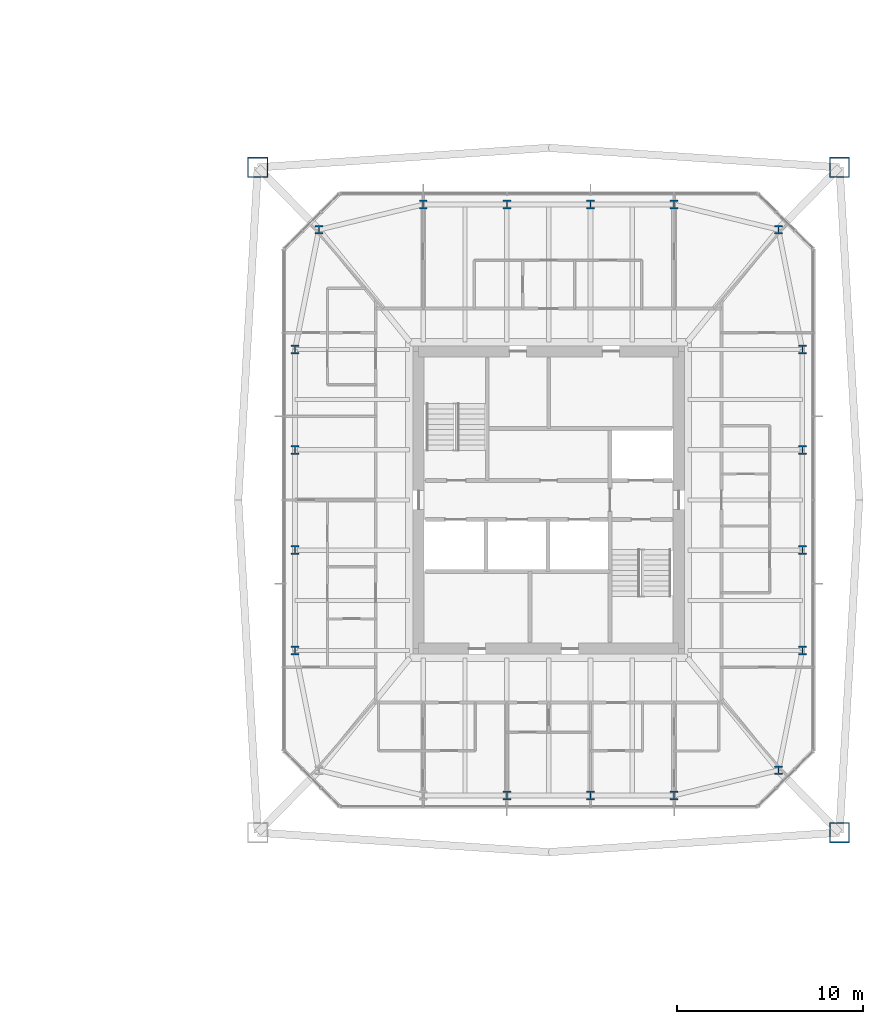
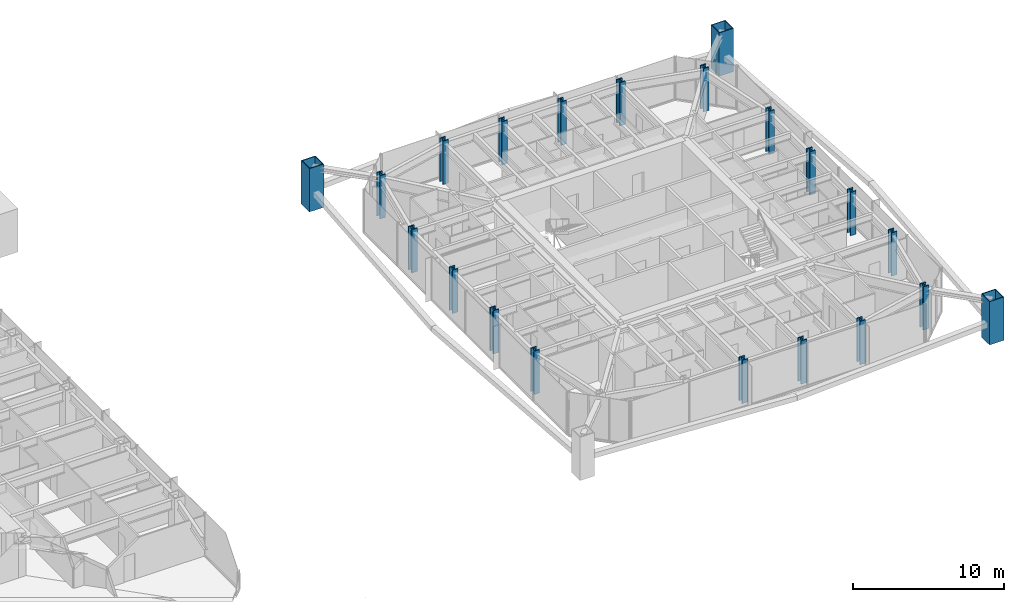
# One storey, part 2 of 25: 21 columns.
"""IFC4 building model written with IfcOpenShell, lengths in metres."""

import ifcopenshell
import ifcopenshell.guid

model = None  # the IFC model being written
_history = None  # IfcOwnerHistory: only IFC2X3 demands one
_inside = {}  # id of a spatial element -> (the spatial element, [elements in it])
_under = {}  # id of a project, library or spatial element -> (it, [spatial elements below it])
_declared = {}  # id of a project -> (the project, [libraries it declares])
_typed = {}  # id of a type object -> (the type object, [elements of that type])
_made_of = {}  # id of a material, layer set ... -> (it, [elements and type objects made of it])


def new_model(schema):
    """Start an empty IFC model of exactly this schema.

    Asked for "IFC4X3", IfcOpenShell would pick the latest addendum, in which some entities
    have other attributes; the version numbers below select the first issue.
    IFC2X3 requires an IfcOwnerHistory on every rooted entity: one is made here for all.
    """
    global model, _history
    if schema == "IFC4X3":
        model = ifcopenshell.file(schema_version=(4, 3, 0, 0))
    else:
        model = ifcopenshell.file(schema=schema)
    _inside.clear()
    _under.clear()
    _declared.clear()
    _typed.clear()
    _made_of.clear()
    _history = None
    if model.schema == "IFC2X3":
        org = make("IfcOrganization", Name="unknown")
        user = make(
            "IfcPersonAndOrganization",
            ThePerson=make("IfcPerson", FamilyName="unknown"),
            TheOrganization=org,
        )
        app = make(
            "IfcApplication",
            ApplicationDeveloper=org,
            Version="unknown",
            ApplicationFullName="unknown",
            ApplicationIdentifier="unknown",
        )
        _history = make(
            "IfcOwnerHistory",
            OwningUser=user,
            OwningApplication=app,
            ChangeAction="ADDED",
            CreationDate=0,
        )
    return model


def make(cls, **values):
    """One entity of the class cls with the attributes given. An attribute that is None is left unset."""
    return model.create_entity(
        cls, **{name: value for name, value in values.items() if value is not None}
    )


def rooted(cls, **values):
    """An entity with a GlobalId (a new one), such as an element, a storey or a relation."""
    return make(cls, GlobalId=ifcopenshell.guid.new(), OwnerHistory=_history, **values)


def si_unit(unit_type, name, prefix=None):
    """IfcSIUnit, for example si_unit("LENGTHUNIT", "METRE", prefix="MILLI")."""
    return make("IfcSIUnit", UnitType=unit_type, Prefix=prefix, Name=name)


def assignment(units):
    """IfcUnitAssignment: the units of a project."""
    return None if units is None else make("IfcUnitAssignment", Units=units)


def point(xyz):
    """IfcCartesianPoint."""
    return None if xyz is None else make("IfcCartesianPoint", Coordinates=xyz)


def direction(xyz):
    """IfcDirection."""
    return None if xyz is None else make("IfcDirection", DirectionRatios=xyz)


def frame(location, z_axis=None, x_axis=None):
    """IfcAxis2Placement3D, a coordinate frame: its origin and axes. An axis left out is left unset."""
    return make(
        "IfcAxis2Placement3D",
        Location=point(location),
        Axis=direction(z_axis),
        RefDirection=direction(x_axis),
    )


def frame_2d(location, x_axis=None):
    """IfcAxis2Placement2D, a coordinate frame in the plane: its origin and x axis."""
    return make(
        "IfcAxis2Placement2D", Location=point(location), RefDirection=direction(x_axis)
    )


def origin():
    """The frame at (0, 0, 0) with its axes left unset."""
    return frame((0.0, 0.0, 0.0))


def origin_2d():
    """The frame at (0, 0) in the plane with its x axis left unset."""
    return frame_2d((0.0, 0.0))


def place(relative_to, where):
    """IfcLocalPlacement: puts the frame where relative to a parent placement (None: the world)."""
    return make(
        "IfcLocalPlacement", PlacementRelTo=relative_to, RelativePlacement=where
    )


def context(
    kind, dimensions, precision=None, world=None, true_north=None, identifier=None
):
    """IfcGeometricRepresentationContext, for example the 3D "Model" context."""
    return make(
        "IfcGeometricRepresentationContext",
        ContextIdentifier=identifier,
        ContextType=kind,
        CoordinateSpaceDimension=dimensions,
        Precision=precision,
        WorldCoordinateSystem=world,
        TrueNorth=true_north,
    )


def subcontext(parent, identifier, kind, view, scale=None):
    """IfcGeometricRepresentationSubContext, for example "Body" below "Model"."""
    return make(
        "IfcGeometricRepresentationSubContext",
        ContextIdentifier=identifier,
        ContextType=kind,
        ParentContext=parent,
        TargetScale=scale,
        TargetView=view,
    )


def project(units=None, contexts=None):
    """IfcProject with its units and contexts."""
    return rooted(
        "IfcProject",
        Name="project",
        RepresentationContexts=contexts,
        UnitsInContext=assignment(units),
    )


def spatial(cls, under=None, at=None, **own):
    """A site, building, storey or space (cls), placed at a placement, below another one or the project."""
    s = rooted(cls, ObjectPlacement=at, **own)
    if under is not None:
        _under.setdefault(under.id(), (under, []))[1].append(s)
    return s


def profile(cls, at=None, kind="AREA", **sizes):
    """A parametric profile (cls). Its sizes go by their IFC names, for example OverallWidth=200.0."""
    return make(cls, ProfileType=kind, Position=at, **sizes)


def hollow_rectangle(**sizes):
    """IfcRectangleHollowProfileDef."""
    return profile("IfcRectangleHollowProfileDef", **sizes)


def i_section(**sizes):
    """IfcIShapeProfileDef."""
    return profile("IfcIShapeProfileDef", **sizes)


def extrude(swept, where, along, depth):
    """IfcExtrudedAreaSolid: the profile swept, set in the frame where, extruded along a direction by depth."""
    return make(
        "IfcExtrudedAreaSolid",
        SweptArea=swept,
        Position=where,
        ExtrudedDirection=direction(along),
        Depth=depth,
    )


def shape(context_of_items, identifier, shape_type, items):
    """IfcShapeRepresentation: the items that make up one representation, for example the "Body"."""
    return make(
        "IfcShapeRepresentation",
        ContextOfItems=context_of_items,
        RepresentationIdentifier=identifier,
        RepresentationType=shape_type,
        Items=items,
    )


def material(Name=None, Category=None):
    """IfcMaterial."""
    return make("IfcMaterial", Name=Name, Category=Category)


def material_profile(
    of_material, cross_section, Name=None, Category=None, Priority=None
):
    """IfcMaterialProfile: a cross section and its material."""
    return make(
        "IfcMaterialProfile",
        Name=Name,
        Material=of_material,
        Profile=cross_section,
        Priority=Priority,
        Category=Category,
    )


def profile_set(profiles, Name=None, composite=None):
    """IfcMaterialProfileSet."""
    return make(
        "IfcMaterialProfileSet",
        Name=Name,
        MaterialProfiles=profiles,
        CompositeProfile=composite,
    )


def made_of(thing, what):
    """Note that an element or type object is made of a material, layer set ...; save() writes the relation."""
    if what is not None:
        _made_of.setdefault(what.id(), (what, []))[1].append(thing)
    return thing


def type_object(cls, material=None, **own):
    """A type object (cls), such as IfcWallType, which elements share."""
    return made_of(rooted(cls, **own), material)


def element(
    cls,
    number,
    at=None,
    inside=None,
    cuts=None,
    type_object=None,
    material=None,
    context=None,
    identifier="Body",
    shape_type=None,
    held_by="IfcProductDefinitionShape",
    body=None,
    shapes=None,
    **own,
):
    """One element of the class cls, such as IfcWall. Its Tag is "e" and its number.

    at: its placement. inside: the storey or other place that contains it. cuts: it is an
    opening in that element (IfcRelVoidsElement). A single representation is given by context,
    identifier, shape_type and body (its items); several are given by shapes. held_by: the class
    of the entity that holds the representations. save() writes the other relations.
    """
    e = rooted(cls, Tag="e%d" % number, ObjectPlacement=at, **own)
    if body is not None:
        shapes = [shape(context, identifier, shape_type, body)]
    if shapes is not None:
        e.Representation = make(held_by, Representations=shapes)
    if inside is not None:
        _inside.setdefault(inside.id(), (inside, []))[1].append(e)
    if cuts is not None:
        rooted(
            "IfcRelVoidsElement", RelatingBuildingElement=cuts, RelatedOpeningElement=e
        )
    if type_object is not None:
        _typed.setdefault(type_object.id(), (type_object, []))[1].append(e)
    return made_of(e, material)


def aggregate(whole, parts):
    """IfcRelAggregates: a whole, such as a stair, and the parts it consists of."""
    return rooted("IfcRelAggregates", RelatingObject=whole, RelatedObjects=parts)


def save(model, path):
    """Write the relations noted so far, then the file.

    IfcRelAggregates (storeys below a building ...), IfcRelContainedInSpatialStructure (elements
    in a storey), IfcRelDefinesByType, IfcRelAssociatesMaterial and IfcRelDeclares: one each for
    every whole, place, type object, material and project.
    """
    for whole, parts in _under.values():
        aggregate(whole, parts)
    for where, things in _inside.values():
        rooted(
            "IfcRelContainedInSpatialStructure",
            RelatedElements=things,
            RelatingStructure=where,
        )
    for kind, things in _typed.values():
        rooted("IfcRelDefinesByType", RelatedObjects=things, RelatingType=kind)
    for what, things in _made_of.values():
        rooted("IfcRelAssociatesMaterial", RelatedObjects=things, RelatingMaterial=what)
    for by, libraries in _declared.values():
        rooted("IfcRelDeclares", RelatingContext=by, RelatedDefinitions=libraries)
    model.write(path)


model = new_model("IFC4")

# Units and contexts
model_context = context("Model", 3, precision=1e-05, world=origin(), true_north=direction((0.0, 1.0)))
body_context = subcontext(model_context, "Body", "Model", "MODEL_VIEW")
ifc_project = project(units=[si_unit("LENGTHUNIT", "METRE"), si_unit("AREAUNIT", "SQUARE_METRE"), si_unit("VOLUMEUNIT", "CUBIC_METRE"), si_unit("PLANEANGLEUNIT", "RADIAN"), si_unit("MASSUNIT", "GRAM", prefix="KILO")], contexts=[model_context])

# Site, building, storey
site_placement = place(None, origin())
site = spatial("IfcSite", under=ifc_project, at=site_placement, CompositionType="ELEMENT")
building_placement = place(site_placement, origin())
building = spatial("IfcBuilding", under=site, at=building_placement, Name="Iwan Alto Co-Living Towers", CompositionType="ELEMENT")
storey_placement = place(building_placement, frame((0.0, 0.0, 87.5)))
storey = spatial("IfcBuildingStorey", under=building, at=storey_placement, Name="L23", CompositionType="ELEMENT", Elevation=87.5)

# Columns
ifc_material_1 = material(Name="Steel ASTM A572 Gr 50", Category="steel")
ifc_material_profile_1 = material_profile(ifc_material_1, hollow_rectangle(XDim=1.10009765625, YDim=1.10009765625, WallThickness=0.06005859375, at=origin_2d()), Name="BOX 1100X1100X60")
ifc_profile_set_1 = profile_set([ifc_material_profile_1], Name="Steel ASTM A572 Gr 50")
column_type_1 = type_object("IfcColumnType", Name="T2 MEGA COLUMN BOX 1100X1100X60", PredefinedType="COLUMN", material=ifc_profile_set_1)
for number, where, z_axis, x_axis, name in (
    (1, (78.64990234375, -17.89990234375, 0.0), (0.0, 0.0, 1.0), (1.0, 0.0, 0.0), "T2 mega column SE L23"),
    (2, (78.64990234375, 17.89990234375, 0.0), (0.0, 0.0, 1.0), (1.0, 0.0, 0.0), "T2 mega column NE L23"),
    (3, (47.35009765625, 17.89990234375, 0.0), (0.0, 0.0, 1.0), (1.0, 0.0, 0.0), "T2 mega column NW L23"),
):
    element("IfcColumn", number, at=place(storey_placement, frame(where, z_axis=z_axis, x_axis=x_axis)), inside=storey, type_object=column_type_1, Name=name, PredefinedType="COLUMN", context=body_context, shape_type="SweptSolid", body=[
        extrude(hollow_rectangle(XDim=1.10009765625, YDim=1.10009765625, WallThickness=0.06005859375, at=origin_2d()), origin(), (0.0, 0.0, 1.0), 3.5),
    ])
ifc_material_2 = material(Name="Steel ASTM A992 Gr 50", Category="steel")
ifc_material_profile_2 = material_profile(ifc_material_2, i_section(OverallWidth=0.4267578125, OverallDepth=0.482666015625, WebThickness=0.05126953125, FlangeThickness=0.08154296875, at=origin_2d()), Name="W14X455")
ifc_profile_set_2 = profile_set([ifc_material_profile_2], Name="Steel ASTM A992 Gr 50")
column_type_2 = type_object("IfcColumnType", Name="T2 RING COLUMN W14X455", PredefinedType="COLUMN", material=ifc_profile_set_2)
for number, where, z_axis, x_axis, name in (
    (4, (60.75, -15.89990234375, 0.0), (0.0, 0.0, 1.0), (1.0, 0.0, 0.0), "T2 ring column S2 L23"),
    (5, (65.25, -15.89990234375, 0.0), (0.0, 0.0, 1.0), (1.0, 0.0, 0.0), "T2 ring column S3 L23"),
    (6, (69.75, -15.89990234375, 0.0), (0.0, 0.0, 1.0), (1.0, 0.0, 0.0), "T2 ring column S4 L23"),
    (7, (75.361328125, -14.542724609375, 0.0), (0.0, 0.0, 1.0), (1.0, 0.0, 0.0), "T2 ring column CSE L23"),
    (8, (76.64990234375, -8.10009765625, 0.0), (0.0, 0.0, 1.0), (1.0, 0.0, 0.0), "T2 ring column E1 L23"),
    (9, (76.64990234375, -2.699951171875, 0.0), (0.0, 0.0, 1.0), (1.0, 0.0, 0.0), "T2 ring column E2 L23"),
    (10, (76.64990234375, 2.699951171875, 0.0), (0.0, 0.0, 1.0), (1.0, 0.0, 0.0), "T2 ring column E3 L23"),
    (11, (76.64990234375, 8.10009765625, 0.0), (0.0, 0.0, 1.0), (1.0, 0.0, 0.0), "T2 ring column E4 L23"),
    (12, (75.361328125, 14.542724609375, 0.0), (0.0, 0.0, 1.0), (1.0, 0.0, 0.0), "T2 ring column CNE L23"),
    (13, (69.75, 15.89990234375, 0.0), (0.0, 0.0, 1.0), (1.0, 0.0, 0.0), "T2 ring column N1 L23"),
    (14, (65.25, 15.89990234375, 0.0), (0.0, 0.0, 1.0), (1.0, 0.0, 0.0), "T2 ring column N2 L23"),
    (15, (60.75, 15.89990234375, 0.0), (0.0, 0.0, 1.0), (1.0, 0.0, 0.0), "T2 ring column N3 L23"),
    (16, (56.25, 15.89990234375, 0.0), (0.0, 0.0, 1.0), (1.0, 0.0, 0.0), "T2 ring column N4 L23"),
    (17, (50.638671875, 14.542724609375, 0.0), (0.0, 0.0, 1.0), (1.0, 0.0, 0.0), "T2 ring column CNW L23"),
    (18, (49.35009765625, 8.10009765625, 0.0), (0.0, 0.0, 1.0), (1.0, 0.0, 0.0), "T2 ring column W1 L23"),
    (19, (49.35009765625, 2.699951171875, 0.0), (0.0, 0.0, 1.0), (1.0, 0.0, 0.0), "T2 ring column W2 L23"),
    (20, (49.35009765625, -2.699951171875, 0.0), (0.0, 0.0, 1.0), (1.0, 0.0, 0.0), "T2 ring column W3 L23"),
    (21, (49.35009765625, -8.10009765625, 0.0), (0.0, 0.0, 1.0), (1.0, 0.0, 0.0), "T2 ring column W4 L23"),
):
    element("IfcColumn", number, at=place(storey_placement, frame(where, z_axis=z_axis, x_axis=x_axis)), inside=storey, type_object=column_type_2, Name=name, PredefinedType="COLUMN", context=body_context, shape_type="SweptSolid", body=[
        extrude(i_section(OverallWidth=0.4267578125, OverallDepth=0.482666015625, WebThickness=0.05126953125, FlangeThickness=0.08154296875, at=origin_2d()), origin(), (0.0, 0.0, 1.0), 3.5),
    ])

save(model, "model.ifc")
